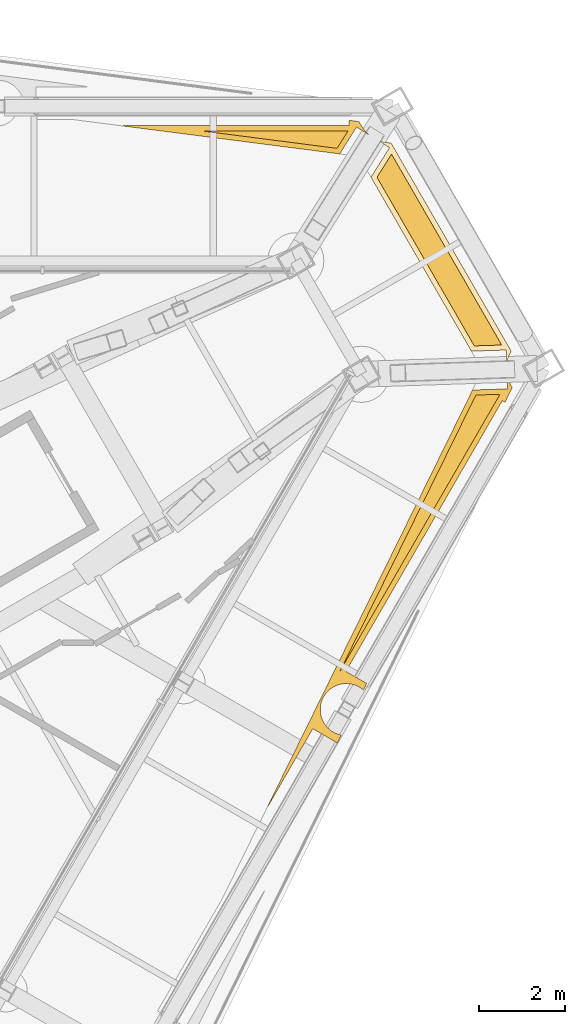
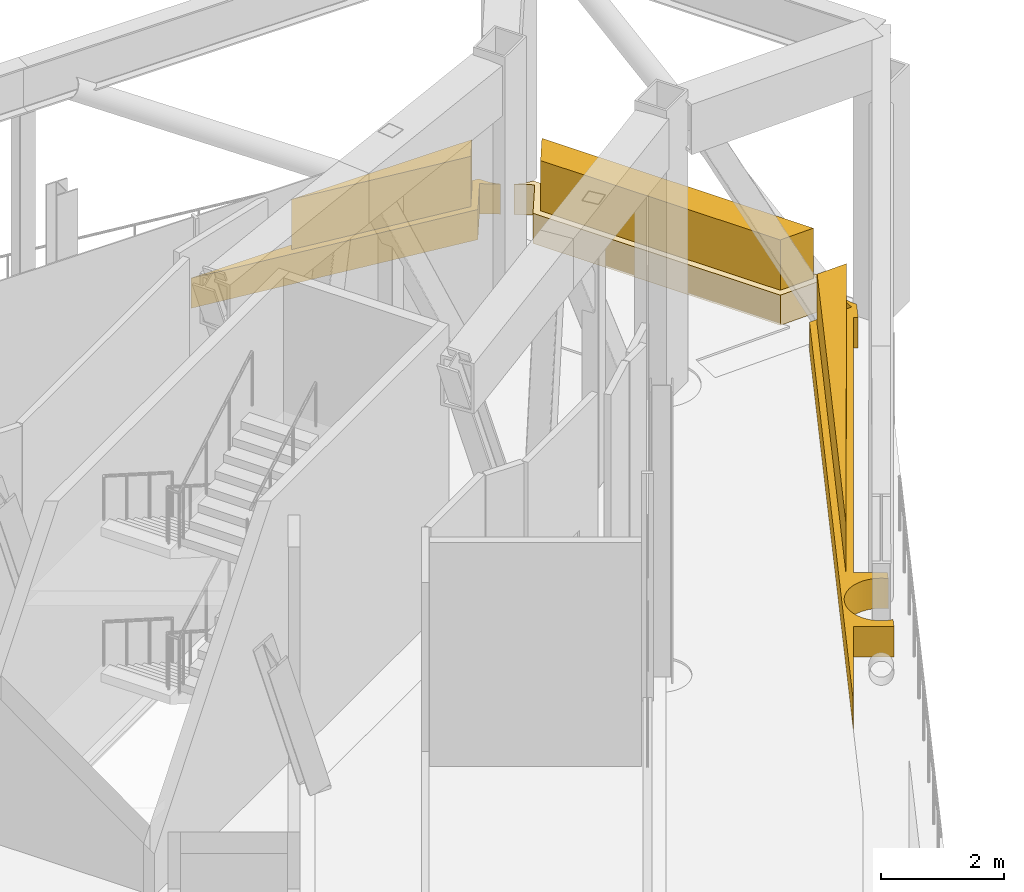
# One storey, part 24 of 25: 6 coverings.
"""IFC4 building model written with IfcOpenShell, lengths in metres."""

import ifcopenshell
import ifcopenshell.guid

model = None  # the IFC model being written
_history = None  # IfcOwnerHistory: only IFC2X3 demands one
_inside = {}  # id of a spatial element -> (the spatial element, [elements in it])
_under = {}  # id of a project, library or spatial element -> (it, [spatial elements below it])
_declared = {}  # id of a project -> (the project, [libraries it declares])
_typed = {}  # id of a type object -> (the type object, [elements of that type])
_made_of = {}  # id of a material, layer set ... -> (it, [elements and type objects made of it])


def new_model(schema):
    """Start an empty IFC model of exactly this schema.

    Asked for "IFC4X3", IfcOpenShell would pick the latest addendum, in which some entities
    have other attributes; the version numbers below select the first issue.
    IFC2X3 requires an IfcOwnerHistory on every rooted entity: one is made here for all.
    """
    global model, _history
    if schema == "IFC4X3":
        model = ifcopenshell.file(schema_version=(4, 3, 0, 0))
    else:
        model = ifcopenshell.file(schema=schema)
    _inside.clear()
    _under.clear()
    _declared.clear()
    _typed.clear()
    _made_of.clear()
    _history = None
    if model.schema == "IFC2X3":
        org = make("IfcOrganization", Name="unknown")
        user = make(
            "IfcPersonAndOrganization",
            ThePerson=make("IfcPerson", FamilyName="unknown"),
            TheOrganization=org,
        )
        app = make(
            "IfcApplication",
            ApplicationDeveloper=org,
            Version="unknown",
            ApplicationFullName="unknown",
            ApplicationIdentifier="unknown",
        )
        _history = make(
            "IfcOwnerHistory",
            OwningUser=user,
            OwningApplication=app,
            ChangeAction="ADDED",
            CreationDate=0,
        )
    return model


def make(cls, **values):
    """One entity of the class cls with the attributes given. An attribute that is None is left unset."""
    return model.create_entity(
        cls, **{name: value for name, value in values.items() if value is not None}
    )


def rooted(cls, **values):
    """An entity with a GlobalId (a new one), such as an element, a storey or a relation."""
    return make(cls, GlobalId=ifcopenshell.guid.new(), OwnerHistory=_history, **values)


def si_unit(unit_type, name, prefix=None):
    """IfcSIUnit, for example si_unit("LENGTHUNIT", "METRE", prefix="MILLI")."""
    return make("IfcSIUnit", UnitType=unit_type, Prefix=prefix, Name=name)


def assignment(units):
    """IfcUnitAssignment: the units of a project."""
    return None if units is None else make("IfcUnitAssignment", Units=units)


def point(xyz):
    """IfcCartesianPoint."""
    return None if xyz is None else make("IfcCartesianPoint", Coordinates=xyz)


def direction(xyz):
    """IfcDirection."""
    return None if xyz is None else make("IfcDirection", DirectionRatios=xyz)


def frame(location, z_axis=None, x_axis=None):
    """IfcAxis2Placement3D, a coordinate frame: its origin and axes. An axis left out is left unset."""
    return make(
        "IfcAxis2Placement3D",
        Location=point(location),
        Axis=direction(z_axis),
        RefDirection=direction(x_axis),
    )


def origin():
    """The frame at (0, 0, 0) with its axes left unset."""
    return frame((0.0, 0.0, 0.0))


def place(relative_to, where):
    """IfcLocalPlacement: puts the frame where relative to a parent placement (None: the world)."""
    return make(
        "IfcLocalPlacement", PlacementRelTo=relative_to, RelativePlacement=where
    )


def context(
    kind, dimensions, precision=None, world=None, true_north=None, identifier=None
):
    """IfcGeometricRepresentationContext, for example the 3D "Model" context."""
    return make(
        "IfcGeometricRepresentationContext",
        ContextIdentifier=identifier,
        ContextType=kind,
        CoordinateSpaceDimension=dimensions,
        Precision=precision,
        WorldCoordinateSystem=world,
        TrueNorth=true_north,
    )


def subcontext(parent, identifier, kind, view, scale=None):
    """IfcGeometricRepresentationSubContext, for example "Body" below "Model"."""
    return make(
        "IfcGeometricRepresentationSubContext",
        ContextIdentifier=identifier,
        ContextType=kind,
        ParentContext=parent,
        TargetScale=scale,
        TargetView=view,
    )


def project(units=None, contexts=None):
    """IfcProject with its units and contexts."""
    return rooted(
        "IfcProject",
        Name="project",
        RepresentationContexts=contexts,
        UnitsInContext=assignment(units),
    )


def spatial(cls, under=None, at=None, **own):
    """A site, building, storey or space (cls), placed at a placement, below another one or the project."""
    s = rooted(cls, ObjectPlacement=at, **own)
    if under is not None:
        _under.setdefault(under.id(), (under, []))[1].append(s)
    return s


def polyline(points):
    """IfcPolyline through the points."""
    return make("IfcPolyline", Points=[point(p) for p in points])


def outline(outer, holes=None, kind="AREA"):
    """IfcArbitraryClosedProfileDef: a profile drawn as a closed curve; with holes, ...WithVoids."""
    if holes is None:
        return make("IfcArbitraryClosedProfileDef", ProfileType=kind, OuterCurve=outer)
    return make(
        "IfcArbitraryProfileDefWithVoids",
        ProfileType=kind,
        OuterCurve=outer,
        InnerCurves=holes,
    )


def extrude(swept, where, along, depth):
    """IfcExtrudedAreaSolid: the profile swept, set in the frame where, extruded along a direction by depth."""
    return make(
        "IfcExtrudedAreaSolid",
        SweptArea=swept,
        Position=where,
        ExtrudedDirection=direction(along),
        Depth=depth,
    )


def shape(context_of_items, identifier, shape_type, items):
    """IfcShapeRepresentation: the items that make up one representation, for example the "Body"."""
    return make(
        "IfcShapeRepresentation",
        ContextOfItems=context_of_items,
        RepresentationIdentifier=identifier,
        RepresentationType=shape_type,
        Items=items,
    )


def material(Name=None, Category=None):
    """IfcMaterial."""
    return make("IfcMaterial", Name=Name, Category=Category)


def made_of(thing, what):
    """Note that an element or type object is made of a material, layer set ...; save() writes the relation."""
    if what is not None:
        _made_of.setdefault(what.id(), (what, []))[1].append(thing)
    return thing


def type_object(cls, material=None, **own):
    """A type object (cls), such as IfcWallType, which elements share."""
    return made_of(rooted(cls, **own), material)


def element(
    cls,
    number,
    at=None,
    inside=None,
    cuts=None,
    type_object=None,
    material=None,
    context=None,
    identifier="Body",
    shape_type=None,
    held_by="IfcProductDefinitionShape",
    body=None,
    shapes=None,
    **own,
):
    """One element of the class cls, such as IfcWall. Its Tag is "e" and its number.

    at: its placement. inside: the storey or other place that contains it. cuts: it is an
    opening in that element (IfcRelVoidsElement). A single representation is given by context,
    identifier, shape_type and body (its items); several are given by shapes. held_by: the class
    of the entity that holds the representations. save() writes the other relations.
    """
    e = rooted(cls, Tag="e%d" % number, ObjectPlacement=at, **own)
    if body is not None:
        shapes = [shape(context, identifier, shape_type, body)]
    if shapes is not None:
        e.Representation = make(held_by, Representations=shapes)
    if inside is not None:
        _inside.setdefault(inside.id(), (inside, []))[1].append(e)
    if cuts is not None:
        rooted(
            "IfcRelVoidsElement", RelatingBuildingElement=cuts, RelatedOpeningElement=e
        )
    if type_object is not None:
        _typed.setdefault(type_object.id(), (type_object, []))[1].append(e)
    return made_of(e, material)


def aggregate(whole, parts):
    """IfcRelAggregates: a whole, such as a stair, and the parts it consists of."""
    return rooted("IfcRelAggregates", RelatingObject=whole, RelatedObjects=parts)


def save(model, path):
    """Write the relations noted so far, then the file.

    IfcRelAggregates (storeys below a building ...), IfcRelContainedInSpatialStructure (elements
    in a storey), IfcRelDefinesByType, IfcRelAssociatesMaterial and IfcRelDeclares: one each for
    every whole, place, type object, material and project.
    """
    for whole, parts in _under.values():
        aggregate(whole, parts)
    for where, things in _inside.values():
        rooted(
            "IfcRelContainedInSpatialStructure",
            RelatedElements=things,
            RelatingStructure=where,
        )
    for kind, things in _typed.values():
        rooted("IfcRelDefinesByType", RelatedObjects=things, RelatingType=kind)
    for what, things in _made_of.values():
        rooted("IfcRelAssociatesMaterial", RelatedObjects=things, RelatingMaterial=what)
    for by, libraries in _declared.values():
        rooted("IfcRelDeclares", RelatingContext=by, RelatedDefinitions=libraries)
    model.write(path)


model = new_model("IFC4")

# Units and contexts
model_context = context("Model", 3, precision=1e-05, world=origin(), true_north=direction((0.0, 1.0)))
body_context = subcontext(model_context, "Body", "Model", "MODEL_VIEW")
ifc_project = project(units=[si_unit("LENGTHUNIT", "METRE"), si_unit("AREAUNIT", "SQUARE_METRE"), si_unit("VOLUMEUNIT", "CUBIC_METRE"), si_unit("PLANEANGLEUNIT", "RADIAN"), si_unit("MASSUNIT", "GRAM", prefix="KILO")], contexts=[model_context])

# Site, building, storey
site_placement = place(None, origin())
site = spatial("IfcSite", under=ifc_project, at=site_placement, CompositionType="ELEMENT")
building_placement = place(site_placement, origin())
building = spatial("IfcBuilding", under=site, at=building_placement, Name="Verrane Prism Tower", CompositionType="ELEMENT")
storey_placement = place(building_placement, frame((0.0, 0.0, 258.199951171875)))
storey = spatial("IfcBuildingStorey", under=building, at=storey_placement, Name="L65", CompositionType="ELEMENT", Elevation=258.199951171875)

# Coverings
ifc_material_1 = material(Name="Planting medium in stone kerb", Category="masonry")
covering_type_1 = type_object("IfcCoveringType", Name="Planter bed 600", PredefinedType="USERDEFINED", material=ifc_material_1)
covering_1_placement = place(storey_placement, origin())
element("IfcCovering", 1, at=covering_1_placement, inside=storey, type_object=covering_type_1, Name="Planter bed L65 1", ObjectType="PLANTER", PredefinedType="USERDEFINED", context=body_context, shape_type="SweptSolid", body=[
    extrude(outline(polyline([(21.59521484375, 2.673583984375), (21.53955078125, 2.693603515625), (21.486083984375, 2.71875), (21.435302734375, 2.7490234375), (21.3876953125, 2.7841796875), (21.343994140625, 2.823974609375), (21.30419921875, 2.867919921875), (21.26904296875, 2.915283203125), (21.23876953125, 2.966064453125), (21.21337890625, 3.01953125), (21.193603515625, 3.0751953125), (21.17919921875, 3.132568359375), (21.17041015625, 3.19091796875), (21.16748046875, 3.25), (21.17041015625, 3.30908203125), (21.17919921875, 3.367431640625), (21.193603515625, 3.4248046875), (21.21337890625, 3.48046875), (21.23876953125, 3.533935546875), (21.26904296875, 3.584716796875), (21.30419921875, 3.632080078125), (21.343994140625, 3.676025390625), (21.3876953125, 3.7158203125), (21.435302734375, 3.7509765625), (21.486083984375, 3.78125), (21.53955078125, 3.806396484375), (21.59521484375, 3.826416015625), (21.652587890625, 3.8408203125), (21.7109375, 3.849609375), (21.77001953125, 3.852294921875), (21.8291015625, 3.849609375), (21.887451171875, 3.8408203125), (21.94482421875, 3.826416015625), (22.00048828125, 3.806396484375), (22.053955078125, 3.78125), (22.104736328125, 3.7509765625), (22.152099609375, 3.7158203125), (22.1669921875, 3.7021484375), (22.24267578125, 3.85595703125), (21.76123046875, 4.13427734375), (25.38525390625, 10.406982421875), (25.44873046875, 10.370361328125), (25.61767578125, 10.713623046875), (25.59033203125, 10.75927734375), (25.5546875, 10.834716796875), (25.526611328125, 10.913330078125), (25.50634765625, 10.994140625), (25.502197265625, 11.02099609375), (25.4951171875, 11.0205078125), (25.50634765625, 10.68212890625), (24.697265625, 10.6552734375), (19.954833984375, 1.01904296875), (19.962158203125, 1.01513671875), (20.994140625, 2.805419921875), (21.56396484375, 2.476806640625), (21.653564453125, 2.658935546875), (21.59521484375, 2.673583984375)])), origin(), (0.0, 0.0, 1.0), 0.60009765625),
])
covering_2_placement = place(storey_placement, origin())
element("IfcCovering", 2, at=covering_2_placement, inside=storey, type_object=covering_type_1, Name="Planter bed L65 2", ObjectType="PLANTER", PredefinedType="USERDEFINED", context=body_context, shape_type="SweptSolid", body=[
    extrude(outline(polyline([(22.771240234375, 16.271484375), (22.342529296875, 15.586669921875), (24.67041015625, 11.554931640625), (25.4765625, 11.581787109375), (25.48779296875, 11.2392578125), (25.493408203125, 11.239013671875), (25.50634765625, 11.32568359375), (25.526611328125, 11.40673828125), (25.5546875, 11.4853515625), (25.590576171875, 11.56103515625), (25.50341796875, 11.712158203125), (25.50244140625, 11.711669921875), (24.61474609375, 13.2509765625), (22.807373046875, 16.381591796875), (22.756591796875, 16.384033203125), (22.67431640625, 16.396240234375), (22.59326171875, 16.41650390625), (22.5146484375, 16.444580078125), (22.486572265625, 16.4580078125), (22.483154296875, 16.451904296875), (22.771240234375, 16.271484375)])), origin(), (0.0, 0.0, 1.0), 0.60009765625),
])
covering_3_placement = place(storey_placement, origin())
element("IfcCovering", 3, at=covering_3_placement, inside=storey, type_object=covering_type_1, Name="Planter bed L65 3", ObjectType="PLANTER", PredefinedType="USERDEFINED", context=body_context, shape_type="SweptSolid", body=[
    extrude(outline(polyline([(21.8310546875, 16.906005859375), (21.8310546875, 16.780029296875), (16.5986328125, 16.780029296875), (16.59814453125, 16.773193359375), (21.618896484375, 16.126708984375), (22.00830078125, 16.7490234375), (22.298828125, 16.567138671875), (22.30224609375, 16.571533203125), (22.239013671875, 16.62890625), (22.182861328125, 16.69091796875), (22.13330078125, 16.7578125), (22.09033203125, 16.829345703125), (22.068603515625, 16.875244140625), (21.8310546875, 16.906005859375)])), origin(), (0.0, 0.0, 1.0), 0.60009765625),
])
ifc_material_2 = material(Name="Planted shrubs and grasses", Category="other")
covering_type_2 = type_object("IfcCoveringType", Name="Planting mass 1000", PredefinedType="USERDEFINED", material=ifc_material_2)
covering_4_placement = place(storey_placement, frame((0.0, 0.0, 0.60009765625)))
element("IfcCovering", 4, at=covering_4_placement, inside=storey, type_object=covering_type_2, Name="Planting L65 1", ObjectType="PLANTING", PredefinedType="USERDEFINED", context=body_context, shape_type="SweptSolid", body=[
    extrude(outline(polyline([(25.3330078125, 10.556396484375), (24.773193359375, 10.53759765625), (21.616943359375, 4.124267578125), (25.3330078125, 10.556396484375)])), origin(), (0.0, 0.0, 1.0), 1.0),
])
covering_5_placement = place(storey_placement, frame((0.0, 0.0, 0.60009765625)))
element("IfcCovering", 5, at=covering_5_placement, inside=storey, type_object=covering_type_2, Name="Planting L65 2", ObjectType="PLANTING", PredefinedType="USERDEFINED", context=body_context, shape_type="SweptSolid", body=[
    extrude(outline(polyline([(22.482666015625, 15.584228515625), (24.73828125, 11.67724609375), (25.37158203125, 11.6982421875), (24.510986328125, 13.191162109375), (22.81884765625, 16.12158203125), (22.482666015625, 15.584228515625)])), origin(), (0.0, 0.0, 1.0), 1.0),
])
covering_6_placement = place(storey_placement, frame((0.0, 0.0, 0.60009765625)))
element("IfcCovering", 6, at=covering_6_placement, inside=storey, type_object=covering_type_2, Name="Planting L65 3", ObjectType="PLANTING", PredefinedType="USERDEFINED", context=body_context, shape_type="SweptSolid", body=[
    extrude(outline(polyline([(21.557861328125, 16.25537109375), (21.81103515625, 16.659912109375), (18.41650390625, 16.659912109375), (21.557861328125, 16.25537109375)])), origin(), (0.0, 0.0, 1.0), 1.0),
])

save(model, "model.ifc")
